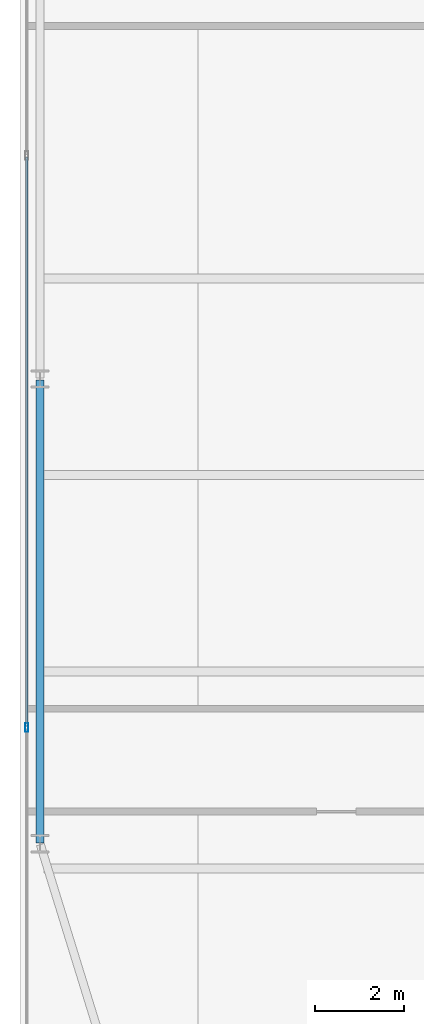
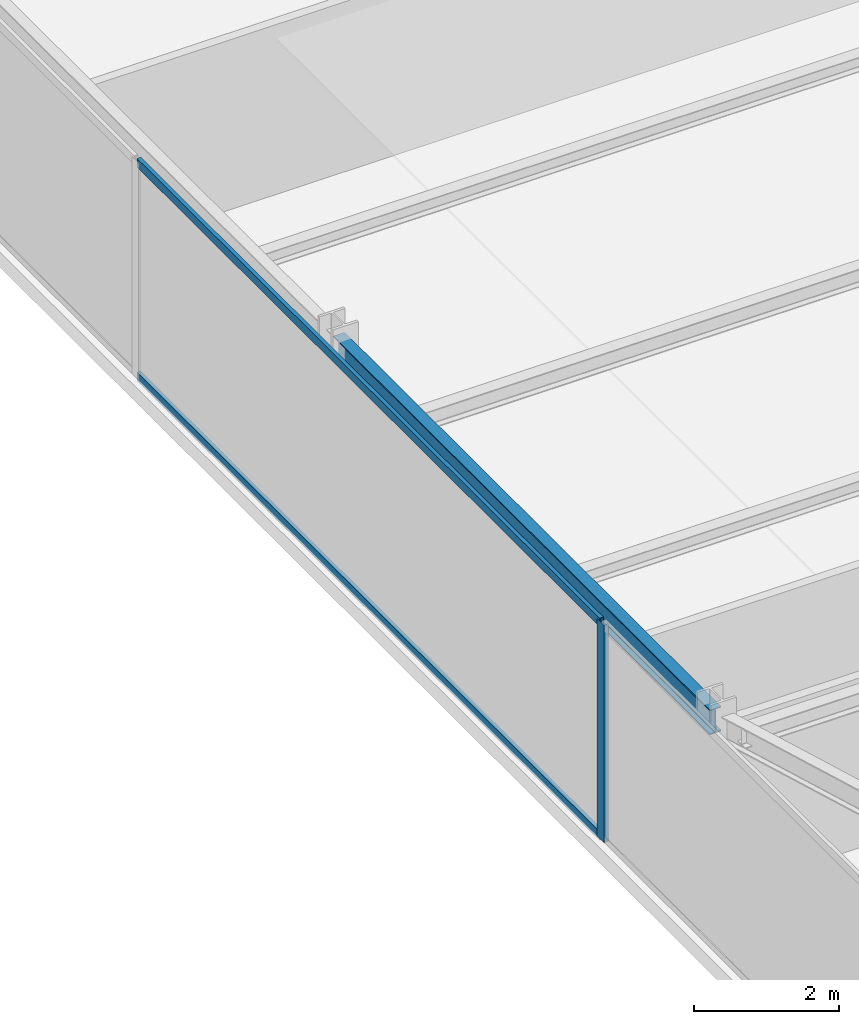
# One storey, part 8 of 30: 3 members, 1 beam, 1 element without a shape of its own.
"""IFC4 building model written with IfcOpenShell, lengths in metres."""

from ifc_helpers import new_model, si_unit, direction, frame, origin, origin_2d, place, context, subcontext, project, spatial, hollow_rectangle, i_section, extrude, source, transform, mapped, material, layer, layer_set, material_profile, profile_set, type_object, type_shapes, element, aggregate, save


model = new_model("IFC4")

# Units and contexts
model_context = context("Model", 3, precision=1e-05, world=origin(), true_north=direction((0.0, 1.0)))
body_context = subcontext(model_context, "Body", "Model", "MODEL_VIEW")
ifc_project = project(units=[si_unit("LENGTHUNIT", "METRE"), si_unit("AREAUNIT", "SQUARE_METRE"), si_unit("VOLUMEUNIT", "CUBIC_METRE"), si_unit("PLANEANGLEUNIT", "RADIAN"), si_unit("MASSUNIT", "GRAM", prefix="KILO")], contexts=[model_context])

# Site, building, storey
site_placement = place(None, origin())
site = spatial("IfcSite", under=ifc_project, at=site_placement, CompositionType="ELEMENT")
building_placement = place(site_placement, origin())
building = spatial("IfcBuilding", under=site, at=building_placement, Name="Varnel Quay Broadcast Tower", CompositionType="ELEMENT")
storey_placement = place(building_placement, frame((0.0, 0.0, 62.699951171875)))
storey = spatial("IfcBuildingStorey", under=building, at=storey_placement, Name="L14", CompositionType="ELEMENT", Elevation=62.699951171875)

# Beam
ifc_material_1 = material(Name="Structural Steel CSA G40.21 350W", Category="steel")
ifc_material_profile_1 = material_profile(ifc_material_1, i_section(OverallWidth=0.180908203125, OverallDepth=0.4169921875, WebThickness=0.010986328125, FlangeThickness=0.018310546875, FilletRadius=0.011962890625, at=origin_2d()), Name="W410X85")
ifc_profile_set_1 = profile_set([ifc_material_profile_1], Name="Structural Steel CSA G40.21 350W")
beam_type = type_object("IfcBeamType", Name="Beam_W410X85", PredefinedType="SPANDREL", material=ifc_profile_set_1)
shared_shape_1 = source(origin(), body_context, "Body", "SweptSolid", [
    extrude(i_section(OverallWidth=0.180908203125, OverallDepth=0.4169921875, WebThickness=0.010986328125, FlangeThickness=0.018310546875, FilletRadius=0.011962890625, at=origin_2d()), origin(), (0.0, 0.0, 1.0), 10.35986328125),
])
type_shapes(beam_type, [shared_shape_1])
beam_placement = place(storey_placement, frame((2.449951171875, 15.02001953125, 3.441650390625), z_axis=(0.0, 1.0, 0.0), x_axis=(-1.0, 0.0, 0.0)))
element("IfcBeam", 1, at=beam_placement, inside=storey, type_object=beam_type, Name="L14 West Spandrel TC-W1-TC-W2", PredefinedType="SPANDREL", context=body_context, shape_type="MappedRepresentation", body=[
    mapped(shared_shape_1, transform((0.0, 0.0, 0.0), x_axis=(1.0, 0.0, 0.0), y_axis=(0.0, 1.0, 0.0), z_axis=(0.0, 0.0, 1.0), scale=1.0)),
])

# Curtain wall, members
ifc_material_2 = material(Name="Anodised Bronze Aluminium 6063-T6", Category="aluminium")
ifc_layer = layer(ifc_material_2, 0.18994140625, Name="Anodised Bronze Aluminium 6063-T6")
ifc_layer_set = layer_set([ifc_layer], Name="Anodised Bronze Aluminium 6063-T6")
curtain_wall_type = type_object("IfcCurtainWallType", Name="CW_LowerTower", PredefinedType="NOTDEFINED", material=ifc_layer_set)
curtain_wall_placement = place(storey_placement, origin())
curtain_wall = element("IfcCurtainWall", 2, at=curtain_wall_placement, inside=storey, type_object=curtain_wall_type, Name="L14 West Unitised Curtain Wall", PredefinedType="NOTDEFINED")
ifc_material_profile_2 = material_profile(ifc_material_2, hollow_rectangle(XDim=0.06005859375, YDim=0.14501953125, WallThickness=0.00341796875, at=origin_2d()), Name="ALU60X145X3.5")
ifc_profile_set_2 = profile_set([ifc_material_profile_2], Name="Anodised Bronze Aluminium 6063-T6")
member_type_1 = type_object("IfcMemberType", Name="Tran_CWS-02", PredefinedType="USERDEFINED", material=ifc_profile_set_2)
shared_shape_2 = source(origin(), body_context, "Body", "SweptSolid", [
    extrude(hollow_rectangle(XDim=0.06005859375, YDim=0.14501953125, WallThickness=0.00341796875, at=origin_2d()), origin(), (0.0, 0.0, 1.0), 12.72998046875),
])
type_shapes(member_type_1, [shared_shape_2])
member_1_placement = place(storey_placement, frame((2.14990234375, 17.635009765625, 0.030029296875), z_axis=(0.0, 1.0, 0.0), x_axis=(-1.0, 0.0, 0.0)))
member_1 = element("IfcMember", 3, at=member_1_placement, type_object=member_type_1, Name="CWS-02 transom 2.1", ObjectType="TRANSOM", PredefinedType="USERDEFINED", context=body_context, shape_type="MappedRepresentation", body=[
    mapped(shared_shape_2, transform((0.0, 0.0, 0.0), x_axis=(1.0, 0.0, 0.0), y_axis=(0.0, 1.0, 0.0), z_axis=(0.0, 0.0, 1.0), scale=1.0)),
])
member_2_placement = place(storey_placement, frame((2.14990234375, 17.635009765625, 3.6201171875), z_axis=(0.0, 1.0, 0.0), x_axis=(-1.0, 0.0, 0.0)))
member_2 = element("IfcMember", 4, at=member_2_placement, type_object=member_type_1, Name="CWS-02 transom 2.2", ObjectType="TRANSOM", PredefinedType="USERDEFINED", context=body_context, shape_type="MappedRepresentation", body=[
    mapped(shared_shape_2, transform((0.0, 0.0, 0.0), x_axis=(1.0, 0.0, 0.0), y_axis=(0.0, 1.0, 0.0), z_axis=(0.0, 0.0, 1.0), scale=1.0)),
])
ifc_material_profile_3 = material_profile(ifc_material_2, hollow_rectangle(XDim=0.070068359375, YDim=0.18994140625, WallThickness=0.00390625, at=origin_2d()), Name="ALU70X190X4")
ifc_profile_set_3 = profile_set([ifc_material_profile_3], Name="Anodised Bronze Aluminium 6063-T6")
member_type_2 = type_object("IfcMemberType", Name="Mull_CWS-02", PredefinedType="MULLION", material=ifc_profile_set_3)
shared_shape_3 = source(origin(), body_context, "Body", "SweptSolid", [
    extrude(hollow_rectangle(XDim=0.070068359375, YDim=0.18994140625, WallThickness=0.00390625, at=origin_2d()), origin(), (0.0, 0.0, 1.0), 3.650146484375),
])
type_shapes(member_type_2, [shared_shape_3])
member_3_placement = place(storey_placement, frame((2.14990234375, 17.60009765625, 0.0), z_axis=(0.0, 0.0, 1.0), x_axis=(-1.0, 0.0, 0.0)))
member_3 = element("IfcMember", 5, at=member_3_placement, type_object=member_type_2, Name="CWS-02 mullion 2", PredefinedType="MULLION", context=body_context, shape_type="MappedRepresentation", body=[
    mapped(shared_shape_3, transform((0.0, 0.0, 0.0), x_axis=(1.0, 0.0, 0.0), y_axis=(0.0, 1.0, 0.0), z_axis=(0.0, 0.0, 1.0), scale=1.0)),
])
aggregate(curtain_wall, [member_3, member_1, member_2])

save(model, "model.ifc")
